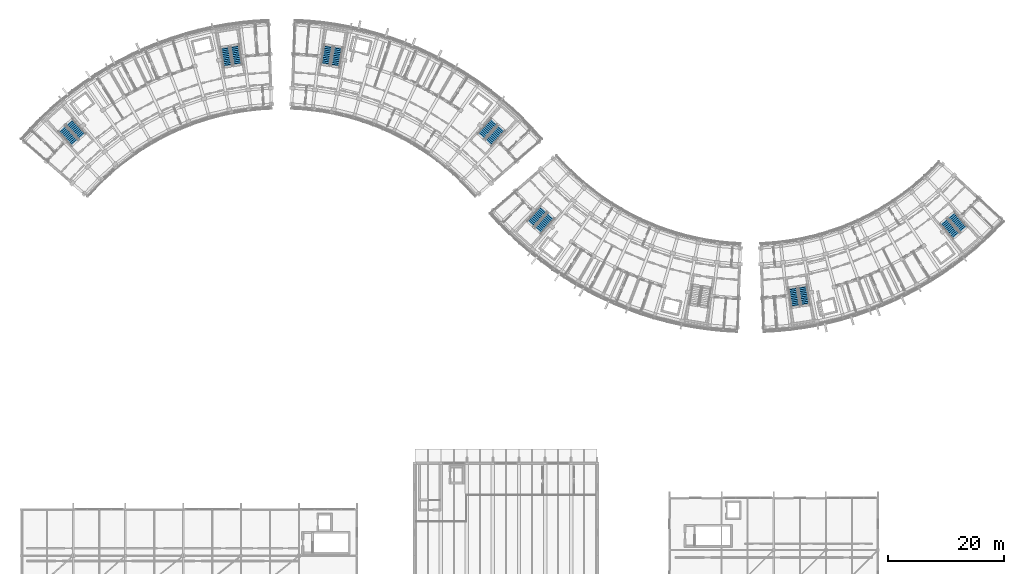
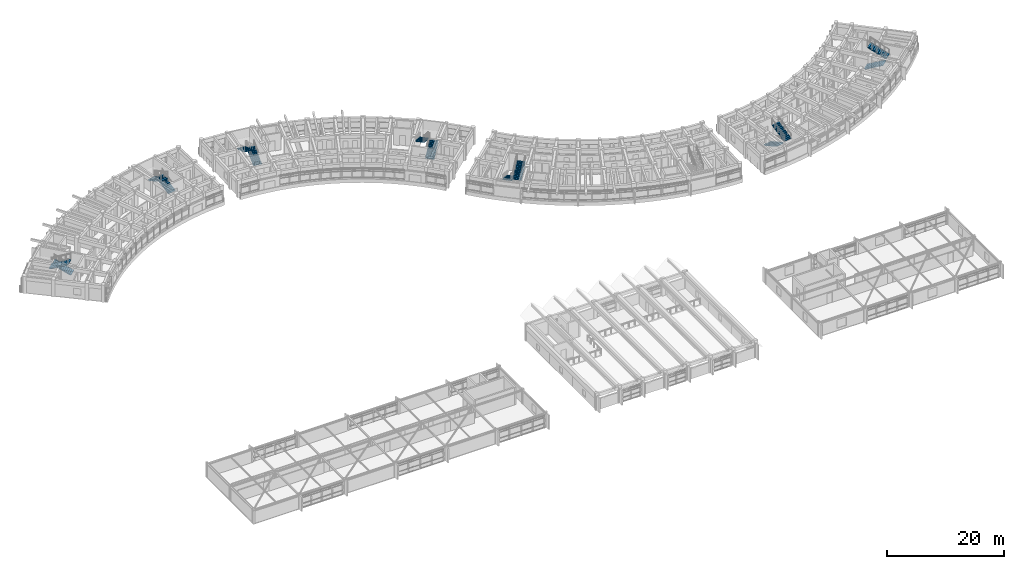
# One storey, part 70 of 83: 14 stair flights, 7 elements without a shape of their own.
"""IFC4 building model written with IfcOpenShell, lengths in metres."""

from ifc_helpers import new_model, si_unit, direction, frame, origin, place, context, subcontext, project, spatial, polyline, outline, extrude, material, type_object, element, aggregate, save


model = new_model("IFC4")

# Units and contexts
model_context = context("Model", 3, precision=1e-05, world=origin(), true_north=direction((0.0, 1.0)))
body_context = subcontext(model_context, "Body", "Model", "MODEL_VIEW")
ifc_project = project(units=[si_unit("LENGTHUNIT", "METRE"), si_unit("AREAUNIT", "SQUARE_METRE"), si_unit("VOLUMEUNIT", "CUBIC_METRE"), si_unit("PLANEANGLEUNIT", "RADIAN"), si_unit("MASSUNIT", "GRAM", prefix="KILO")], contexts=[model_context])

# Site, building, storey
site_placement = place(None, origin())
site = spatial("IfcSite", under=ifc_project, at=site_placement, CompositionType="ELEMENT")
building_placement = place(site_placement, origin())
building = spatial("IfcBuilding", under=site, at=building_placement, Name="Zimvara Arc Housing Community", CompositionType="ELEMENT")
storey_placement = place(building_placement, frame((0.0, 0.0, 4.5)))
storey = spatial("IfcBuildingStorey", under=building, at=storey_placement, Name="L01", CompositionType="ELEMENT", Elevation=4.5)

# Stair, stair flights
ifc_material_1 = material(Name="Concrete C35/45", Category="concrete")
stair_type_1 = type_object("IfcStairType", Name="STR-DL-310-360", PredefinedType="HALF_TURN_STAIR", material=ifc_material_1)
stair_1_placement = place(storey_placement, origin())
stair_1 = element("IfcStair", 1, at=stair_1_placement, inside=storey, type_object=stair_type_1, Name="L01 Block D Exit Stair 1", PredefinedType="HALF_TURN_STAIR")
ifc_material_2 = material(Name="Concrete C35/45", Category="concrete")
stair_flight_type_1 = type_object("IfcStairFlightType", Name="STF-DL-310-360", PredefinedType="STRAIGHT", material=ifc_material_2)
stair_flight_1_placement = place(storey_placement, frame((133.282470703125, 57.964111328125, 0.0), z_axis=(0.0, 0.0, 1.0), x_axis=(0.155572484907, -0.987824479318, 0.0)))
stair_flight_1 = element("IfcStairFlight", 2, at=stair_flight_1_placement, type_object=stair_flight_type_1, Name="ST-D1 flight 1", NumberOfRisers=12, NumberOfTreads=11, PredefinedType="STRAIGHT", RiserHeight=0.15, TreadLength=0.31, context=body_context, shape_type="SweptSolid", body=[
    extrude(outline(polyline([(0.0, 0.0), (0.0, 0.14990234375), (0.31005859375, 0.14990234375), (0.31005859375, 0.300048828125), (0.6201171875, 0.300048828125), (0.6201171875, 0.449951171875), (0.929931640625, 0.449951171875), (0.929931640625, 0.60009765625), (1.239990234375, 0.60009765625), (1.239990234375, 0.75), (1.550048828125, 0.75), (1.550048828125, 0.89990234375), (1.860107421875, 0.89990234375), (1.860107421875, 1.050048828125), (2.169921875, 1.050048828125), (2.169921875, 1.199951171875), (2.47998046875, 1.199951171875), (2.47998046875, 1.35009765625), (2.7900390625, 1.35009765625), (2.7900390625, 1.5), (3.10009765625, 1.5), (3.10009765625, 1.64990234375), (3.409912109375, 1.64990234375), (3.409912109375, 1.800048828125), (3.409912109375, 1.4833984375), (0.34423828125, 0.0), (0.0, 0.0)])), frame((0.0, 0.780029296875, 0.0), z_axis=(0.0, -1.0, 0.0), x_axis=(1.0, 0.0, 0.0)), (0.0, 0.0, 1.0), 1.56005859375),
])
stair_flight_2_placement = place(storey_placement, frame((135.511962890625, 54.86328125, 1.800048828125), z_axis=(0.0, 0.0, 1.0), x_axis=(-0.155572484907, 0.987824479318, 0.0)))
stair_flight_2 = element("IfcStairFlight", 3, at=stair_flight_2_placement, type_object=stair_flight_type_1, Name="ST-D1 flight 2", NumberOfRisers=12, NumberOfTreads=11, PredefinedType="STRAIGHT", RiserHeight=0.15, TreadLength=0.31, context=body_context, shape_type="SweptSolid", body=[
    extrude(outline(polyline([(0.0, 0.0), (0.0, 0.14990234375), (0.31005859375, 0.14990234375), (0.31005859375, 0.300048828125), (0.6201171875, 0.300048828125), (0.6201171875, 0.449951171875), (0.929931640625, 0.449951171875), (0.929931640625, 0.60009765625), (1.239990234375, 0.60009765625), (1.239990234375, 0.75), (1.550048828125, 0.75), (1.550048828125, 0.89990234375), (1.860107421875, 0.89990234375), (1.860107421875, 1.050048828125), (2.169921875, 1.050048828125), (2.169921875, 1.199951171875), (2.47998046875, 1.199951171875), (2.47998046875, 1.35009765625), (2.7900390625, 1.35009765625), (2.7900390625, 1.5), (3.10009765625, 1.5), (3.10009765625, 1.64990234375), (3.409912109375, 1.64990234375), (3.409912109375, 1.800048828125), (3.409912109375, 1.4833984375), (0.34423828125, 0.0), (0.0, 0.0)])), frame((0.0, 0.780029296875, 0.0), z_axis=(0.0, -1.0, 0.0), x_axis=(1.0, 0.0, 0.0)), (0.0, 0.0, 1.0), 1.56005859375),
])
aggregate(stair_1, [stair_flight_1, stair_flight_2])

ifc_material_3 = material(Name="Concrete C35/45", Category="concrete")
stair_type_2 = type_object("IfcStairType", Name="STR-DL-312-360", PredefinedType="HALF_TURN_STAIR", material=ifc_material_3)
stair_2_placement = place(storey_placement, origin())
stair_2 = element("IfcStair", 4, at=stair_2_placement, inside=storey, type_object=stair_type_2, Name="L01 Block A Exit Stair 1", PredefinedType="HALF_TURN_STAIR")
ifc_material_4 = material(Name="Concrete C35/45", Category="concrete")
stair_flight_type_2 = type_object("IfcStairFlightType", Name="STF-DL-312-360", PredefinedType="STRAIGHT", material=ifc_material_4)
stair_flight_3_placement = place(storey_placement, frame((10.590576171875, 84.0283203125, 0.0), z_axis=(0.0, 0.0, 1.0), x_axis=(-0.668871159118, 0.743378350842, 0.0)))
stair_flight_3 = element("IfcStairFlight", 5, at=stair_flight_3_placement, type_object=stair_flight_type_2, Name="ST-A1 flight 1", NumberOfRisers=12, NumberOfTreads=11, PredefinedType="STRAIGHT", RiserHeight=0.15, TreadLength=0.312, context=body_context, shape_type="SweptSolid", body=[
    extrude(outline(polyline([(0.0, 0.0), (0.0, 0.14990234375), (0.31201171875, 0.14990234375), (0.31201171875, 0.300048828125), (0.6240234375, 0.300048828125), (0.6240234375, 0.449951171875), (0.93603515625, 0.449951171875), (0.93603515625, 0.60009765625), (1.248046875, 0.60009765625), (1.248046875, 0.75), (1.56005859375, 0.75), (1.56005859375, 0.89990234375), (1.8720703125, 0.89990234375), (1.8720703125, 1.050048828125), (2.18408203125, 1.050048828125), (2.18408203125, 1.199951171875), (2.49609375, 1.199951171875), (2.49609375, 1.35009765625), (2.80810546875, 1.35009765625), (2.80810546875, 1.5), (3.1201171875, 1.5), (3.1201171875, 1.64990234375), (3.431884765625, 1.64990234375), (3.431884765625, 1.800048828125), (3.431884765625, 1.483642578125), (0.345947265625, 0.0), (0.0, 0.0)])), frame((0.0, 0.780029296875, 0.0), z_axis=(0.0, -1.0, 0.0), x_axis=(1.0, 0.0, 0.0)), (0.0, 0.0, 1.0), 1.56005859375),
])
stair_flight_4_placement = place(storey_placement, frame((7.016357421875, 85.428955078125, 1.800048828125), z_axis=(0.0, 0.0, 1.0), x_axis=(0.668871159118, -0.743378350842, 0.0)))
stair_flight_4 = element("IfcStairFlight", 6, at=stair_flight_4_placement, type_object=stair_flight_type_2, Name="ST-A1 flight 2", NumberOfRisers=12, NumberOfTreads=11, PredefinedType="STRAIGHT", RiserHeight=0.15, TreadLength=0.312, context=body_context, shape_type="SweptSolid", body=[
    extrude(outline(polyline([(0.0, 0.0), (0.0, 0.14990234375), (0.31201171875, 0.14990234375), (0.31201171875, 0.300048828125), (0.6240234375, 0.300048828125), (0.6240234375, 0.449951171875), (0.93603515625, 0.449951171875), (0.93603515625, 0.60009765625), (1.248046875, 0.60009765625), (1.248046875, 0.75), (1.56005859375, 0.75), (1.56005859375, 0.89990234375), (1.8720703125, 0.89990234375), (1.8720703125, 1.050048828125), (2.18408203125, 1.050048828125), (2.18408203125, 1.199951171875), (2.49609375, 1.199951171875), (2.49609375, 1.35009765625), (2.80810546875, 1.35009765625), (2.80810546875, 1.5), (3.1201171875, 1.5), (3.1201171875, 1.64990234375), (3.431884765625, 1.64990234375), (3.431884765625, 1.800048828125), (3.431884765625, 1.483642578125), (0.345947265625, 0.0), (0.0, 0.0)])), frame((0.0, 0.780029296875, 0.0), z_axis=(0.0, -1.0, 0.0), x_axis=(1.0, 0.0, 0.0)), (0.0, 0.0, 1.0), 1.56005859375),
])
aggregate(stair_2, [stair_flight_3, stair_flight_4])

stair_3_placement = place(storey_placement, origin())
stair_3 = element("IfcStair", 7, at=stair_3_placement, inside=storey, type_object=stair_type_2, Name="L01 Block D Exit Stair 2", PredefinedType="HALF_TURN_STAIR")
stair_flight_5_placement = place(storey_placement, frame((159.32177734375, 69.427001953125, 0.0), z_axis=(0.0, 0.0, 1.0), x_axis=(0.648784221735, -0.760972426325, 0.0)))
stair_flight_5 = element("IfcStairFlight", 8, at=stair_flight_5_placement, type_object=stair_flight_type_2, Name="ST-D2 flight 1", NumberOfRisers=12, NumberOfTreads=11, PredefinedType="STRAIGHT", RiserHeight=0.15, TreadLength=0.312, context=body_context, shape_type="SweptSolid", body=[
    extrude(outline(polyline([(0.0, 0.0), (0.0, 0.14990234375), (0.31201171875, 0.14990234375), (0.31201171875, 0.300048828125), (0.6240234375, 0.300048828125), (0.6240234375, 0.449951171875), (0.93603515625, 0.449951171875), (0.93603515625, 0.60009765625), (1.248046875, 0.60009765625), (1.248046875, 0.75), (1.56005859375, 0.75), (1.56005859375, 0.89990234375), (1.8720703125, 0.89990234375), (1.8720703125, 1.050048828125), (2.18408203125, 1.050048828125), (2.18408203125, 1.199951171875), (2.49609375, 1.199951171875), (2.49609375, 1.35009765625), (2.80810546875, 1.35009765625), (2.80810546875, 1.5), (3.1201171875, 1.5), (3.1201171875, 1.64990234375), (3.431884765625, 1.64990234375), (3.431884765625, 1.800048828125), (3.431884765625, 1.483642578125), (0.345947265625, 0.0), (0.0, 0.0)])), frame((0.0, 0.780029296875, 0.0), z_axis=(0.0, -1.0, 0.0), x_axis=(1.0, 0.0, 0.0)), (0.0, 0.0, 1.0), 1.56005859375),
])
stair_flight_6_placement = place(storey_placement, frame((162.857421875, 67.931396484375, 1.800048828125), z_axis=(0.0, 0.0, 1.0), x_axis=(-0.648784221735, 0.760972426325, 0.0)))
stair_flight_6 = element("IfcStairFlight", 9, at=stair_flight_6_placement, type_object=stair_flight_type_2, Name="ST-D2 flight 2", NumberOfRisers=12, NumberOfTreads=11, PredefinedType="STRAIGHT", RiserHeight=0.15, TreadLength=0.312, context=body_context, shape_type="SweptSolid", body=[
    extrude(outline(polyline([(0.0, 0.0), (0.0, 0.14990234375), (0.31201171875, 0.14990234375), (0.31201171875, 0.300048828125), (0.6240234375, 0.300048828125), (0.6240234375, 0.449951171875), (0.93603515625, 0.449951171875), (0.93603515625, 0.60009765625), (1.248046875, 0.60009765625), (1.248046875, 0.75), (1.56005859375, 0.75), (1.56005859375, 0.89990234375), (1.8720703125, 0.89990234375), (1.8720703125, 1.050048828125), (2.18408203125, 1.050048828125), (2.18408203125, 1.199951171875), (2.49609375, 1.199951171875), (2.49609375, 1.35009765625), (2.80810546875, 1.35009765625), (2.80810546875, 1.5), (3.1201171875, 1.5), (3.1201171875, 1.64990234375), (3.431884765625, 1.64990234375), (3.431884765625, 1.800048828125), (3.431884765625, 1.483642578125), (0.345947265625, 0.0), (0.0, 0.0)])), frame((0.0, 0.780029296875, 0.0), z_axis=(0.0, -1.0, 0.0), x_axis=(1.0, 0.0, 0.0)), (0.0, 0.0, 1.0), 1.56005859375),
])
aggregate(stair_3, [stair_flight_5, stair_flight_6])

ifc_material_5 = material(Name="Concrete C35/45", Category="concrete")
stair_type_3 = type_object("IfcStairType", Name="STR-DL-315-360", PredefinedType="HALF_TURN_STAIR", material=ifc_material_5)
stair_4_placement = place(storey_placement, origin())
stair_4 = element("IfcStair", 10, at=stair_4_placement, inside=storey, type_object=stair_type_3, Name="L01 Block A Exit Stair 2", PredefinedType="HALF_TURN_STAIR")
ifc_material_6 = material(Name="Concrete C35/45", Category="concrete")
stair_flight_type_3 = type_object("IfcStairFlightType", Name="STF-DL-315-360", PredefinedType="STRAIGHT", material=ifc_material_6)
stair_flight_7_placement = place(storey_placement, frame((37.453125, 96.36083984375, 0.0), z_axis=(0.0, 0.0, 1.0), x_axis=(-0.160225753504, 0.987080395872, 0.0)))
stair_flight_7 = element("IfcStairFlight", 11, at=stair_flight_7_placement, type_object=stair_flight_type_3, Name="ST-A2 flight 1", NumberOfRisers=12, NumberOfTreads=11, PredefinedType="STRAIGHT", RiserHeight=0.15, TreadLength=0.315, context=body_context, shape_type="SweptSolid", body=[
    extrude(outline(polyline([(0.0, 0.0), (0.0, 0.14990234375), (0.31494140625, 0.14990234375), (0.31494140625, 0.300048828125), (0.6298828125, 0.300048828125), (0.6298828125, 0.449951171875), (0.945068359375, 0.449951171875), (0.945068359375, 0.60009765625), (1.260009765625, 0.60009765625), (1.260009765625, 0.75), (1.574951171875, 0.75), (1.574951171875, 0.89990234375), (1.889892578125, 0.89990234375), (1.889892578125, 1.050048828125), (2.205078125, 1.050048828125), (2.205078125, 1.199951171875), (2.52001953125, 1.199951171875), (2.52001953125, 1.35009765625), (2.8349609375, 1.35009765625), (2.8349609375, 1.5), (3.14990234375, 1.5), (3.14990234375, 1.64990234375), (3.465087890625, 1.64990234375), (3.465087890625, 1.800048828125), (3.465087890625, 1.48388671875), (0.3486328125, 0.0), (0.0, 0.0)])), frame((0.0, 0.780029296875, 0.0), z_axis=(0.0, -1.0, 0.0), x_axis=(1.0, 0.0, 0.0)), (0.0, 0.0, 1.0), 1.56005859375),
])
stair_flight_8_placement = place(storey_placement, frame((35.2001953125, 99.50537109375, 1.800048828125), z_axis=(0.0, 0.0, 1.0), x_axis=(0.160225753504, -0.987080395872, 0.0)))
stair_flight_8 = element("IfcStairFlight", 12, at=stair_flight_8_placement, type_object=stair_flight_type_3, Name="ST-A2 flight 2", NumberOfRisers=12, NumberOfTreads=11, PredefinedType="STRAIGHT", RiserHeight=0.15, TreadLength=0.315, context=body_context, shape_type="SweptSolid", body=[
    extrude(outline(polyline([(0.0, 0.0), (0.0, 0.14990234375), (0.31494140625, 0.14990234375), (0.31494140625, 0.300048828125), (0.6298828125, 0.300048828125), (0.6298828125, 0.449951171875), (0.945068359375, 0.449951171875), (0.945068359375, 0.60009765625), (1.260009765625, 0.60009765625), (1.260009765625, 0.75), (1.574951171875, 0.75), (1.574951171875, 0.89990234375), (1.889892578125, 0.89990234375), (1.889892578125, 1.050048828125), (2.205078125, 1.050048828125), (2.205078125, 1.199951171875), (2.52001953125, 1.199951171875), (2.52001953125, 1.35009765625), (2.8349609375, 1.35009765625), (2.8349609375, 1.5), (3.14990234375, 1.5), (3.14990234375, 1.64990234375), (3.465087890625, 1.64990234375), (3.465087890625, 1.800048828125), (3.465087890625, 1.48388671875), (0.3486328125, 0.0), (0.0, 0.0)])), frame((0.0, 0.780029296875, 0.0), z_axis=(0.0, -1.0, 0.0), x_axis=(1.0, 0.0, 0.0)), (0.0, 0.0, 1.0), 1.56005859375),
])
aggregate(stair_4, [stair_flight_7, stair_flight_8])

stair_5_placement = place(storey_placement, origin())
stair_5 = element("IfcStair", 13, at=stair_5_placement, inside=storey, type_object=stair_type_3, Name="L01 Block B Exit Stair 1", PredefinedType="HALF_TURN_STAIR")
stair_flight_9_placement = place(storey_placement, frame((54.24462890625, 96.085205078125, 0.0), z_axis=(0.0, 0.0, 1.0), x_axis=(0.160225753504, 0.987080395872, 0.0)))
stair_flight_9 = element("IfcStairFlight", 14, at=stair_flight_9_placement, type_object=stair_flight_type_3, Name="ST-B1 flight 1", NumberOfRisers=12, NumberOfTreads=11, PredefinedType="STRAIGHT", RiserHeight=0.15, TreadLength=0.315, context=body_context, shape_type="SweptSolid", body=[
    extrude(outline(polyline([(0.0, 0.0), (0.0, 0.14990234375), (0.31494140625, 0.14990234375), (0.31494140625, 0.300048828125), (0.6298828125, 0.300048828125), (0.6298828125, 0.449951171875), (0.945068359375, 0.449951171875), (0.945068359375, 0.60009765625), (1.260009765625, 0.60009765625), (1.260009765625, 0.75), (1.574951171875, 0.75), (1.574951171875, 0.89990234375), (1.889892578125, 0.89990234375), (1.889892578125, 1.050048828125), (2.205078125, 1.050048828125), (2.205078125, 1.199951171875), (2.52001953125, 1.199951171875), (2.52001953125, 1.35009765625), (2.8349609375, 1.35009765625), (2.8349609375, 1.5), (3.14990234375, 1.5), (3.14990234375, 1.64990234375), (3.465087890625, 1.64990234375), (3.465087890625, 1.800048828125), (3.465087890625, 1.48388671875), (0.3486328125, 0.0), (0.0, 0.0)])), frame((0.0, 0.780029296875, 0.0), z_axis=(0.0, -1.0, 0.0), x_axis=(1.0, 0.0, 0.0)), (0.0, 0.0, 1.0), 1.56005859375),
])
stair_flight_10_placement = place(storey_placement, frame((53.10205078125, 99.781005859375, 1.800048828125), z_axis=(0.0, 0.0, 1.0), x_axis=(-0.160225753504, -0.987080395872, 0.0)))
stair_flight_10 = element("IfcStairFlight", 15, at=stair_flight_10_placement, type_object=stair_flight_type_3, Name="ST-B1 flight 2", NumberOfRisers=12, NumberOfTreads=11, PredefinedType="STRAIGHT", RiserHeight=0.15, TreadLength=0.315, context=body_context, shape_type="SweptSolid", body=[
    extrude(outline(polyline([(0.0, 0.0), (0.0, 0.14990234375), (0.31494140625, 0.14990234375), (0.31494140625, 0.300048828125), (0.6298828125, 0.300048828125), (0.6298828125, 0.449951171875), (0.945068359375, 0.449951171875), (0.945068359375, 0.60009765625), (1.260009765625, 0.60009765625), (1.260009765625, 0.75), (1.574951171875, 0.75), (1.574951171875, 0.89990234375), (1.889892578125, 0.89990234375), (1.889892578125, 1.050048828125), (2.205078125, 1.050048828125), (2.205078125, 1.199951171875), (2.52001953125, 1.199951171875), (2.52001953125, 1.35009765625), (2.8349609375, 1.35009765625), (2.8349609375, 1.5), (3.14990234375, 1.5), (3.14990234375, 1.64990234375), (3.465087890625, 1.64990234375), (3.465087890625, 1.800048828125), (3.465087890625, 1.48388671875), (0.3486328125, 0.0), (0.0, 0.0)])), frame((0.0, 0.780029296875, 0.0), z_axis=(0.0, -1.0, 0.0), x_axis=(1.0, 0.0, 0.0)), (0.0, 0.0, 1.0), 1.56005859375),
])
aggregate(stair_5, [stair_flight_9, stair_flight_10])

ifc_material_7 = material(Name="Concrete C35/45", Category="concrete")
stair_type_4 = type_object("IfcStairType", Name="STR-DL-318-360", PredefinedType="HALF_TURN_STAIR", material=ifc_material_7)
stair_6_placement = place(storey_placement, origin())
stair_6 = element("IfcStair", 16, at=stair_6_placement, inside=storey, type_object=stair_type_4, Name="L01 Block B Exit Stair 2", PredefinedType="HALF_TURN_STAIR")
ifc_material_8 = material(Name="Concrete C35/45", Category="concrete")
stair_flight_type_4 = type_object("IfcStairFlightType", Name="STF-DL-318-360", PredefinedType="STRAIGHT", material=ifc_material_8)
stair_flight_11_placement = place(storey_placement, frame((80.688232421875, 82.877685546875, 0.0), z_axis=(0.0, 0.0, 1.0), x_axis=(0.668871159118, 0.743378350842, 0.0)))
stair_flight_11 = element("IfcStairFlight", 17, at=stair_flight_11_placement, type_object=stair_flight_type_4, Name="ST-B2 flight 1", NumberOfRisers=12, NumberOfTreads=11, PredefinedType="STRAIGHT", RiserHeight=0.15, TreadLength=0.318, context=body_context, shape_type="SweptSolid", body=[
    extrude(outline(polyline([(0.0, 0.0), (0.0, 0.14990234375), (0.318115234375, 0.14990234375), (0.318115234375, 0.300048828125), (0.635986328125, 0.300048828125), (0.635986328125, 0.449951171875), (0.9541015625, 0.449951171875), (0.9541015625, 0.60009765625), (1.27197265625, 0.60009765625), (1.27197265625, 0.75), (1.590087890625, 0.75), (1.590087890625, 0.89990234375), (1.907958984375, 0.89990234375), (1.907958984375, 1.050048828125), (2.22607421875, 1.050048828125), (2.22607421875, 1.199951171875), (2.5439453125, 1.199951171875), (2.5439453125, 1.35009765625), (2.862060546875, 1.35009765625), (2.862060546875, 1.5), (3.179931640625, 1.5), (3.179931640625, 1.64990234375), (3.498046875, 1.64990234375), (3.498046875, 1.800048828125), (3.498046875, 1.484375), (0.351318359375, 0.0), (0.0, 0.0)])), frame((0.0, 0.780029296875, 0.0), z_axis=(0.0, -1.0, 0.0), x_axis=(1.0, 0.0, 0.0)), (0.0, 0.0, 1.0), 1.56005859375),
])
stair_flight_12_placement = place(storey_placement, frame((81.749267578125, 86.628662109375, 1.800048828125), z_axis=(0.0, 0.0, 1.0), x_axis=(-0.668871159118, -0.743378350842, 0.0)))
stair_flight_12 = element("IfcStairFlight", 18, at=stair_flight_12_placement, type_object=stair_flight_type_4, Name="ST-B2 flight 2", NumberOfRisers=12, NumberOfTreads=11, PredefinedType="STRAIGHT", RiserHeight=0.15, TreadLength=0.318, context=body_context, shape_type="SweptSolid", body=[
    extrude(outline(polyline([(0.0, 0.0), (0.0, 0.14990234375), (0.318115234375, 0.14990234375), (0.318115234375, 0.300048828125), (0.635986328125, 0.300048828125), (0.635986328125, 0.449951171875), (0.9541015625, 0.449951171875), (0.9541015625, 0.60009765625), (1.27197265625, 0.60009765625), (1.27197265625, 0.75), (1.590087890625, 0.75), (1.590087890625, 0.89990234375), (1.907958984375, 0.89990234375), (1.907958984375, 1.050048828125), (2.22607421875, 1.050048828125), (2.22607421875, 1.199951171875), (2.5439453125, 1.199951171875), (2.5439453125, 1.35009765625), (2.862060546875, 1.35009765625), (2.862060546875, 1.5), (3.179931640625, 1.5), (3.179931640625, 1.64990234375), (3.498046875, 1.64990234375), (3.498046875, 1.800048828125), (3.498046875, 1.484375), (0.351318359375, 0.0), (0.0, 0.0)])), frame((0.0, 0.780029296875, 0.0), z_axis=(0.0, -1.0, 0.0), x_axis=(1.0, 0.0, 0.0)), (0.0, 0.0, 1.0), 1.56005859375),
])
aggregate(stair_6, [stair_flight_11, stair_flight_12])

stair_7_placement = place(storey_placement, origin())
stair_7 = element("IfcStair", 19, at=stair_7_placement, inside=storey, type_object=stair_type_4, Name="L01 Block C Exit Stair 1", PredefinedType="HALF_TURN_STAIR")
stair_flight_13_placement = place(storey_placement, frame((90.291748046875, 71.482177734375, 0.0), z_axis=(0.0, 0.0, 1.0), x_axis=(-0.668871159118, -0.743378350842, 0.0)))
stair_flight_13 = element("IfcStairFlight", 20, at=stair_flight_13_placement, type_object=stair_flight_type_4, Name="ST-C1 flight 1", NumberOfRisers=12, NumberOfTreads=11, PredefinedType="STRAIGHT", RiserHeight=0.15, TreadLength=0.318, context=body_context, shape_type="SweptSolid", body=[
    extrude(outline(polyline([(0.0, 0.0), (0.0, 0.14990234375), (0.318115234375, 0.14990234375), (0.318115234375, 0.300048828125), (0.635986328125, 0.300048828125), (0.635986328125, 0.449951171875), (0.9541015625, 0.449951171875), (0.9541015625, 0.60009765625), (1.27197265625, 0.60009765625), (1.27197265625, 0.75), (1.590087890625, 0.75), (1.590087890625, 0.89990234375), (1.907958984375, 0.89990234375), (1.907958984375, 1.050048828125), (2.22607421875, 1.050048828125), (2.22607421875, 1.199951171875), (2.5439453125, 1.199951171875), (2.5439453125, 1.35009765625), (2.862060546875, 1.35009765625), (2.862060546875, 1.5), (3.179931640625, 1.5), (3.179931640625, 1.64990234375), (3.498046875, 1.64990234375), (3.498046875, 1.800048828125), (3.498046875, 1.484375), (0.351318359375, 0.0), (0.0, 0.0)])), frame((0.0, 0.780029296875, 0.0), z_axis=(0.0, -1.0, 0.0), x_axis=(1.0, 0.0, 0.0)), (0.0, 0.0, 1.0), 1.56005859375),
])
stair_flight_14_placement = place(storey_placement, frame((89.230712890625, 67.7314453125, 1.800048828125), z_axis=(0.0, 0.0, 1.0), x_axis=(0.668871159118, 0.743378350842, 0.0)))
stair_flight_14 = element("IfcStairFlight", 21, at=stair_flight_14_placement, type_object=stair_flight_type_4, Name="ST-C1 flight 2", NumberOfRisers=12, NumberOfTreads=11, PredefinedType="STRAIGHT", RiserHeight=0.15, TreadLength=0.318, context=body_context, shape_type="SweptSolid", body=[
    extrude(outline(polyline([(0.0, 0.0), (0.0, 0.14990234375), (0.318115234375, 0.14990234375), (0.318115234375, 0.300048828125), (0.635986328125, 0.300048828125), (0.635986328125, 0.449951171875), (0.9541015625, 0.449951171875), (0.9541015625, 0.60009765625), (1.27197265625, 0.60009765625), (1.27197265625, 0.75), (1.590087890625, 0.75), (1.590087890625, 0.89990234375), (1.907958984375, 0.89990234375), (1.907958984375, 1.050048828125), (2.22607421875, 1.050048828125), (2.22607421875, 1.199951171875), (2.5439453125, 1.199951171875), (2.5439453125, 1.35009765625), (2.862060546875, 1.35009765625), (2.862060546875, 1.5), (3.179931640625, 1.5), (3.179931640625, 1.64990234375), (3.498046875, 1.64990234375), (3.498046875, 1.800048828125), (3.498046875, 1.484375), (0.351318359375, 0.0), (0.0, 0.0)])), frame((0.0, 0.780029296875, 0.0), z_axis=(0.0, -1.0, 0.0), x_axis=(1.0, 0.0, 0.0)), (0.0, 0.0, 1.0), 1.56005859375),
])
aggregate(stair_7, [stair_flight_13, stair_flight_14])

save(model, "model.ifc")
